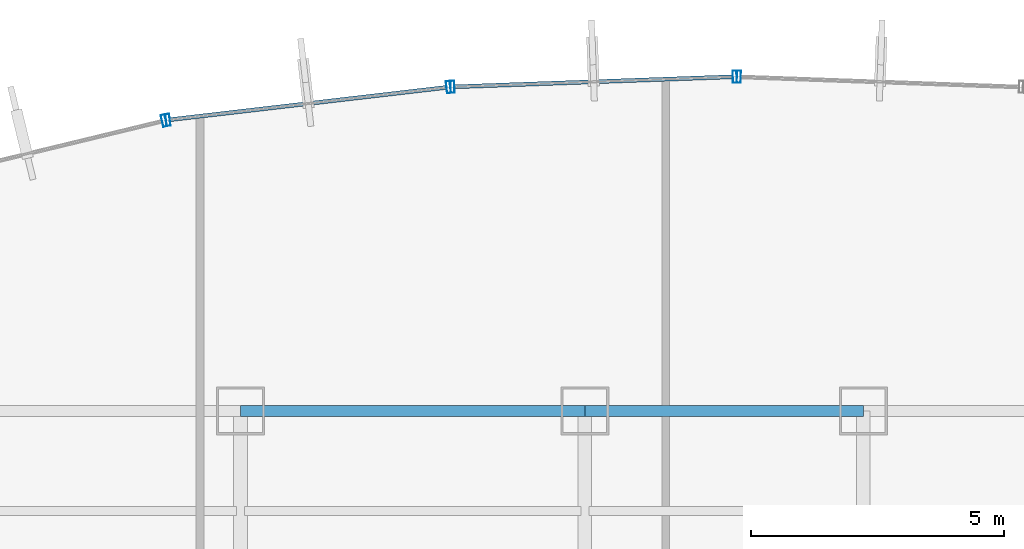
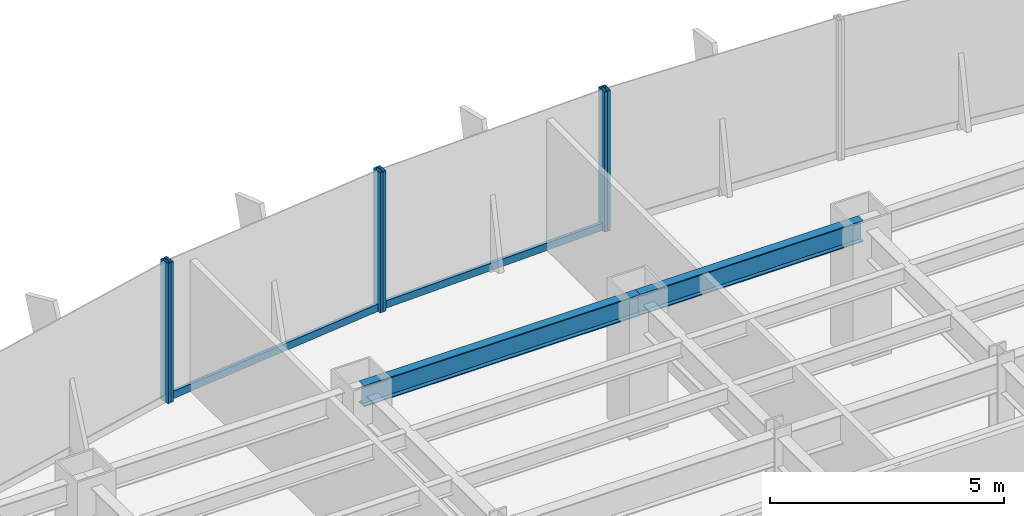
# One storey, part 12 of 22: 8 members, 2 beams, 4 elements without a shape of their own.
"""IFC4 building model written with IfcOpenShell, lengths in metres."""

from ifc_helpers import new_model, si_unit, derived_unit, direction, frame, origin, origin_2d, place, context, subcontext, project, spatial, hollow_rectangle, i_section, extrude, source, transform, mapped, material, material_profile, profile_set, type_object, element, aggregate, save


model = new_model("IFC4")

# Units and contexts
model_context = context("Model", 3, precision=1e-05, world=origin(), true_north=direction((0.0, 1.0)))
body_context = subcontext(model_context, "Body", "Model", "MODEL_VIEW")
ifc_project = project(units=[si_unit("LENGTHUNIT", "METRE"), si_unit("AREAUNIT", "SQUARE_METRE"), si_unit("VOLUMEUNIT", "CUBIC_METRE"), si_unit("PLANEANGLEUNIT", "RADIAN"), si_unit("MASSUNIT", "GRAM", prefix="KILO"), derived_unit("THERMALTRANSMITTANCEUNIT", [(si_unit("POWERUNIT", "WATT"), 1), (si_unit("LENGTHUNIT", "METRE"), -2), (si_unit("THERMODYNAMICTEMPERATUREUNIT", "KELVIN"), -1)])], contexts=[model_context])

# Site, building, storey
site_placement = place(None, origin())
site = spatial("IfcSite", under=ifc_project, at=site_placement, CompositionType="ELEMENT")
building_placement = place(site_placement, origin())
building = spatial("IfcBuilding", under=site, at=building_placement, Name="Skarnbrae Concourse Arena and Tower", CompositionType="ELEMENT")
storey_placement = place(building_placement, frame((0.0, 0.0, 65.35009765625)))
storey = spatial("IfcBuildingStorey", under=building, at=storey_placement, Name="L15", CompositionType="ELEMENT", Elevation=65.35009765625)

# Beams
ifc_material_1 = material(Name="Steel CSA G40.21 350W", Category="steel")
ifc_material_profile_1 = material_profile(ifc_material_1, i_section(OverallWidth=0.214111328125, OverallDepth=0.549072265625, WebThickness=0.0146484375, FlangeThickness=0.023681640625, at=origin_2d()), Name="W530X138")
ifc_profile_set_1 = profile_set([ifc_material_profile_1], Name="Steel CSA G40.21 350W")
beam_type = type_object("IfcBeamType", Name="BM-SPAN-W530X138", PredefinedType="SPANDREL", material=ifc_profile_set_1)
shared_shape_1 = source(origin(), body_context, "Body", "SweptSolid", [
    extrude(i_section(OverallWidth=0.214111328125, OverallDepth=0.549072265625, WebThickness=0.0146484375, FlangeThickness=0.023681640625, at=origin_2d()), origin(), (0.0, 0.0, 1.0), 6.800048828125),
])
beam_1_placement = place(storey_placement, frame((21.199951171875, 40.39990234375, 3.12548828125), z_axis=(1.0, 0.0, 0.0), x_axis=(0.0, 1.0, 0.0)))
element("IfcBeam", 1, at=beam_1_placement, inside=storey, type_object=beam_type, Name="L15 Perimeter spandrel Y40.4-3", PredefinedType="SPANDREL", context=body_context, shape_type="MappedRepresentation", body=[
    mapped(shared_shape_1, transform((0.0, 0.0, 0.0))),
])
shared_shape_2 = source(origin(), body_context, "Body", "SweptSolid", [
    extrude(i_section(OverallWidth=0.214111328125, OverallDepth=0.549072265625, WebThickness=0.0146484375, FlangeThickness=0.023681640625, at=origin_2d()), origin(), (0.0, 0.0, 1.0), 5.5),
])
beam_2_placement = place(storey_placement, frame((28.0, 40.39990234375, 3.12548828125), z_axis=(1.0, 0.0, 0.0), x_axis=(0.0, 1.0, 0.0)))
element("IfcBeam", 2, at=beam_2_placement, inside=storey, type_object=beam_type, Name="L15 Perimeter spandrel Y40.4-4", PredefinedType="SPANDREL", context=body_context, shape_type="MappedRepresentation", body=[
    mapped(shared_shape_2, transform((0.0, 0.0, 0.0))),
])

# Curtain wall, member
ifc_material_2 = material(Name="Bronze anodised aluminium 6063-T6", Category="aluminium")
curtain_wall_type = type_object("IfcCurtainWallType", Name="CW-SYS-02-LOWZONE", PredefinedType="USERDEFINED", material=ifc_material_2)
curtain_wall_1_placement = place(storey_placement, origin())
curtain_wall_1 = element("IfcCurtainWall", 3, at=curtain_wall_1_placement, inside=storey, type_object=curtain_wall_type, Name="L15 Unitised curtain wall CW-L15-E11", ObjectType="UNITISED CURTAIN WALL", PredefinedType="USERDEFINED")
ifc_material_profile_2 = material_profile(ifc_material_2, hollow_rectangle(XDim=0.080078125, YDim=0.239990234375, WallThickness=0.0048828125, at=origin_2d()), Name="ALU-MULL-80X240")
ifc_profile_set_2 = profile_set([ifc_material_profile_2], Name="Bronze anodised aluminium 6063-T6")
member_type_1 = type_object("IfcMemberType", Name="CWM-CW-02", PredefinedType="MULLION", material=ifc_profile_set_2)
shared_shape_3 = source(origin(), body_context, "Body", "SweptSolid", [
    extrude(hollow_rectangle(XDim=0.080078125, YDim=0.239990234375, WallThickness=0.0048828125, at=origin_2d()), origin(), (0.0, 0.0, 1.0), 3.64990234375),
])
member_1_placement = place(storey_placement, frame((31.0400390625, 46.99853515625, 0.0), z_axis=(0.0, 0.0, 1.0), x_axis=(-0.999355425188, 0.035898943527, 0.0)))
member_1 = element("IfcMember", 4, at=member_1_placement, type_object=member_type_1, Name="CW-L15-E11 Mullion 2", PredefinedType="MULLION", context=body_context, shape_type="MappedRepresentation", body=[
    mapped(shared_shape_3, transform((0.0, 0.0, 0.0))),
])
aggregate(curtain_wall_1, [member_1])

# Curtain wall, members
curtain_wall_2_placement = place(storey_placement, origin())
curtain_wall_2 = element("IfcCurtainWall", 5, at=curtain_wall_2_placement, inside=storey, type_object=curtain_wall_type, Name="L15 Unitised curtain wall CW-L15-E12", ObjectType="UNITISED CURTAIN WALL", PredefinedType="USERDEFINED")
member_2_placement = place(storey_placement, frame((30.9599609375, 46.99853515625, 0.0), z_axis=(0.0, 0.0, 1.0), x_axis=(-0.999355425188, -0.035898943527, 0.0)))
member_2 = element("IfcMember", 6, at=member_2_placement, type_object=member_type_1, Name="CW-L15-E12 Mullion 1", PredefinedType="MULLION", context=body_context, shape_type="MappedRepresentation", body=[
    mapped(shared_shape_3, transform((0.0, 0.0, 0.0))),
])
member_3_placement = place(storey_placement, frame((25.385986328125, 46.79833984375, 0.0), z_axis=(0.0, 0.0, 1.0), x_axis=(-0.999355425188, -0.035898943527, 0.0)))
member_3 = element("IfcMember", 7, at=member_3_placement, type_object=member_type_1, Name="CW-L15-E12 Mullion 2", PredefinedType="MULLION", context=body_context, shape_type="MappedRepresentation", body=[
    mapped(shared_shape_3, transform((0.0, 0.0, 0.0))),
])

curtain_wall_3_placement = place(storey_placement, origin())
curtain_wall_3 = element("IfcCurtainWall", 8, at=curtain_wall_3_placement, inside=storey, type_object=curtain_wall_type, Name="L15 Unitised curtain wall CW-L15-E13", ObjectType="UNITISED CURTAIN WALL", PredefinedType="USERDEFINED")
member_4_placement = place(storey_placement, frame((25.306396484375, 46.792236328125, 0.0), z_axis=(0.0, 0.0, 1.0), x_axis=(-0.99324457001, -0.116039752435, 0.0)))
member_4 = element("IfcMember", 9, at=member_4_placement, type_object=member_type_1, Name="CW-L15-E13 Mullion 1", PredefinedType="MULLION", context=body_context, shape_type="MappedRepresentation", body=[
    mapped(shared_shape_3, transform((0.0, 0.0, 0.0))),
])
member_5_placement = place(storey_placement, frame((19.767333984375, 46.14501953125, 0.0), z_axis=(0.0, 0.0, 1.0), x_axis=(-0.99324457001, -0.116039752435, 0.0)))
member_5 = element("IfcMember", 10, at=member_5_placement, type_object=member_type_1, Name="CW-L15-E13 Mullion 2", PredefinedType="MULLION", context=body_context, shape_type="MappedRepresentation", body=[
    mapped(shared_shape_3, transform((0.0, 0.0, 0.0))),
])

# Curtain wall, member
curtain_wall_4_placement = place(storey_placement, origin())
curtain_wall_4 = element("IfcCurtainWall", 11, at=curtain_wall_4_placement, inside=storey, type_object=curtain_wall_type, Name="L15 Unitised curtain wall CW-L15-E14", ObjectType="UNITISED CURTAIN WALL", PredefinedType="USERDEFINED")
member_6_placement = place(storey_placement, frame((19.688720703125, 46.131103515625, 0.0), z_axis=(0.0, 0.0, 1.0), x_axis=(-0.971973721569, -0.235089524607, 0.0)))
member_6 = element("IfcMember", 12, at=member_6_placement, type_object=member_type_1, Name="CW-L15-E14 Mullion 1", PredefinedType="MULLION", context=body_context, shape_type="MappedRepresentation", body=[
    mapped(shared_shape_3, transform((0.0, 0.0, 0.0))),
])
aggregate(curtain_wall_4, [member_6])

# Member
ifc_material_profile_3 = material_profile(ifc_material_2, hollow_rectangle(XDim=0.080078125, YDim=0.18994140625, WallThickness=0.0048828125, at=origin_2d()), Name="ALU-TRAN-80X190")
ifc_profile_set_3 = profile_set([ifc_material_profile_3], Name="Bronze anodised aluminium 6063-T6")
member_type_2 = type_object("IfcMemberType", Name="CWT-CW-02", PredefinedType="USERDEFINED", material=ifc_profile_set_3)
shared_shape_4 = source(origin(), body_context, "Body", "SweptSolid", [
    extrude(hollow_rectangle(XDim=0.080078125, YDim=0.18994140625, WallThickness=0.0048828125, at=origin_2d()), origin(), (0.0, 0.0, 1.0), 5.49658203125),
])
member_7_placement = place(storey_placement, frame((25.2666015625, 46.78759765625, 0.094970703125), z_axis=(-0.993247281455, -0.116016541417, 0.0), x_axis=(0.116016541417, -0.993247281455, 0.0)))
member_7 = element("IfcMember", 13, at=member_7_placement, type_object=member_type_2, Name="CW-L15-E13 Transom 1", ObjectType="TRANSOM", PredefinedType="USERDEFINED", context=body_context, shape_type="MappedRepresentation", body=[
    mapped(shared_shape_4, transform((0.0, 0.0, 0.0))),
])

aggregate(curtain_wall_3, [member_4, member_5, member_7])

shared_shape_5 = source(origin(), body_context, "Body", "SweptSolid", [
    extrude(hollow_rectangle(XDim=0.080078125, YDim=0.18994140625, WallThickness=0.0048828125, at=origin_2d()), origin(), (0.0, 0.0, 1.0), 5.497802734375),
])
member_8_placement = place(storey_placement, frame((30.920166015625, 46.9970703125, 0.094970703125), z_axis=(-0.999356047798, -0.03588160712, 0.0), x_axis=(0.03588160712, -0.999356047798, 0.0)))
member_8 = element("IfcMember", 14, at=member_8_placement, type_object=member_type_2, Name="CW-L15-E12 Transom 1", ObjectType="TRANSOM", PredefinedType="USERDEFINED", context=body_context, shape_type="MappedRepresentation", body=[
    mapped(shared_shape_5, transform((0.0, 0.0, 0.0))),
])

aggregate(curtain_wall_2, [member_2, member_3, member_8])

save(model, "model.ifc")
